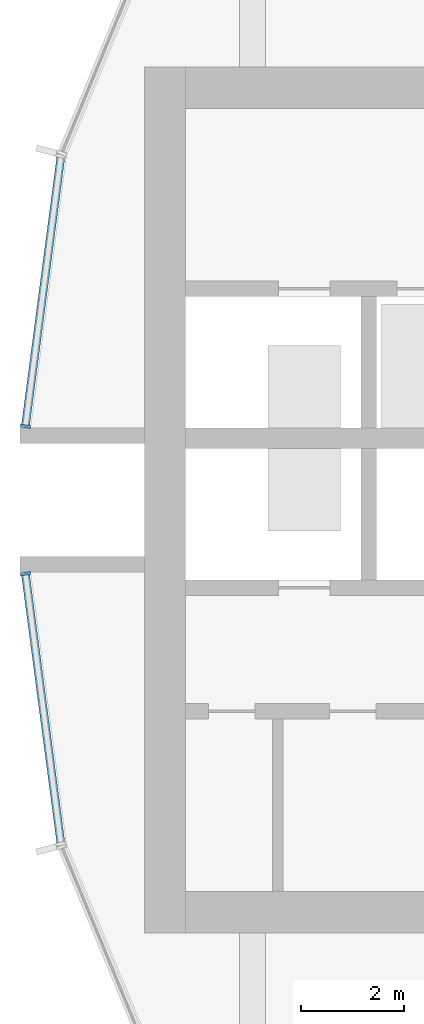
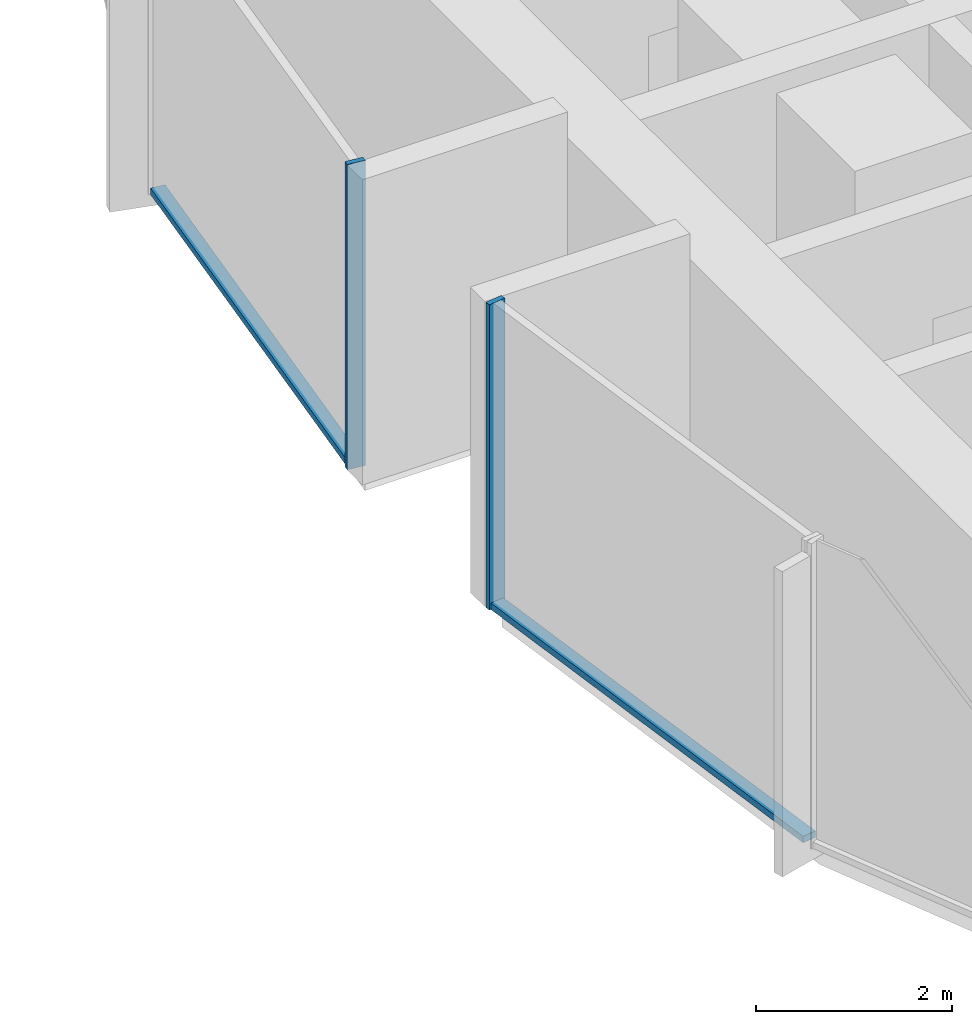
# One storey, part 3 of 15: 4 members, 2 elements without a shape of their own.
"""IFC4 building model written with IfcOpenShell, lengths in metres."""

from ifc_helpers import new_model, si_unit, direction, frame, origin, origin_2d, place, context, subcontext, project, spatial, rectangle, extrude, material, layer, layer_set, material_profile, profile_set, type_object, element, aggregate, save


model = new_model("IFC4")

# Units and contexts
model_context = context("Model", 3, precision=1e-05, world=origin(), true_north=direction((0.0, 1.0)))
body_context = subcontext(model_context, "Body", "Model", "MODEL_VIEW")
ifc_project = project(units=[si_unit("LENGTHUNIT", "METRE"), si_unit("AREAUNIT", "SQUARE_METRE"), si_unit("VOLUMEUNIT", "CUBIC_METRE"), si_unit("PLANEANGLEUNIT", "RADIAN"), si_unit("MASSUNIT", "GRAM", prefix="KILO")], contexts=[model_context])

# Site, building, storey
site_placement = place(None, origin())
site = spatial("IfcSite", under=ifc_project, at=site_placement, CompositionType="ELEMENT")
building_placement = place(site_placement, origin())
building = spatial("IfcBuilding", under=site, at=building_placement, Name="Torre Brocal", CompositionType="ELEMENT")
storey_placement = place(building_placement, frame((0.0, 0.0, 66.800048828125)))
storey = spatial("IfcBuildingStorey", under=building, at=storey_placement, Name="L15", CompositionType="ELEMENT", Elevation=66.800048828125)

# Curtain wall, member
ifc_material_1 = material(Name="Aluminium and glass", Category="aluminium")
ifc_layer = layer(ifc_material_1, 0.199951171875)
ifc_layer_set = layer_set([ifc_layer], Name="Aluminium and glass")
curtain_wall_type = type_object("IfcCurtainWallType", Name="CW-1B CURTAIN WALL 3800 HIGH", PredefinedType="NOTDEFINED", material=ifc_layer_set)
curtain_wall_1_placement = place(storey_placement, origin())
curtain_wall_1 = element("IfcCurtainWall", 1, at=curtain_wall_1_placement, inside=storey, type_object=curtain_wall_type, Name="CW-1B RUN 12", PredefinedType="NOTDEFINED")
ifc_material_2 = material(Name="Aluminium, dark anodised", Category="aluminium")
ifc_material_profile_1 = material_profile(ifc_material_2, rectangle(XDim=0.199951171875, YDim=0.06005859375, at=origin_2d()), Name="CW-1B MULLION 60X200")
ifc_profile_set_1 = profile_set([ifc_material_profile_1], Name="Aluminium, dark anodised")
member_type_1 = type_object("IfcMemberType", Name="CW-1B MULLION 60X200", PredefinedType="MULLION", material=ifc_profile_set_1)
member_1_placement = place(storey_placement, frame((54.2890625, 76.4296875, 0.0), z_axis=(0.0, 0.0, 1.0), x_axis=(0.991444861374, -0.13052619222, 0.0)))
member_1 = element("IfcMember", 2, at=member_1_placement, type_object=member_type_1, Name="CW1B-1 mullion 2", PredefinedType="MULLION", context=body_context, shape_type="SweptSolid", body=[
    extrude(rectangle(XDim=0.199951171875, YDim=0.06005859375, at=origin_2d()), origin(), (0.0, 0.0, 1.0), 3.800048828125),
])

curtain_wall_2_placement = place(storey_placement, origin())
curtain_wall_2 = element("IfcCurtainWall", 3, at=curtain_wall_2_placement, inside=storey, type_object=curtain_wall_type, Name="CW-1B RUN 13", PredefinedType="NOTDEFINED")
member_2_placement = place(storey_placement, frame((54.2890625, 73.5703125, 0.0), z_axis=(0.0, 0.0, 1.0), x_axis=(0.991444861374, 0.13052619222, 0.0)))
member_2 = element("IfcMember", 4, at=member_2_placement, type_object=member_type_1, Name="CW1B-1 mullion 1", PredefinedType="MULLION", context=body_context, shape_type="SweptSolid", body=[
    extrude(rectangle(XDim=0.199951171875, YDim=0.06005859375, at=origin_2d()), origin(), (0.0, 0.0, 1.0), 3.800048828125),
])

# Member
ifc_material_3 = material(Name="Aluminium, dark anodised", Category="aluminium")
ifc_material_profile_2 = material_profile(ifc_material_3, rectangle(XDim=0.159912109375, YDim=0.080078125, at=origin_2d()), Name="CW-1B TRANSOM 160X80")
ifc_profile_set_2 = profile_set([ifc_material_profile_2], Name="Aluminium, dark anodised")
member_type_2 = type_object("IfcMemberType", Name="CW-1B TRANSOM 160X80", PredefinedType="USERDEFINED", material=ifc_profile_set_2)
member_3_placement = place(storey_placement, frame((54.9755859375, 81.643798828125, 0.0400390625), z_axis=(-0.130542677827, -0.991442690863, 0.0), x_axis=(0.991442690863, -0.130542677827, 0.0)))
member_3 = element("IfcMember", 5, at=member_3_placement, type_object=member_type_2, Name="CW1B-1 transom 1.1", ObjectType="TRANSOM", PredefinedType="USERDEFINED", context=body_context, shape_type="SweptSolid", body=[
    extrude(rectangle(XDim=0.159912109375, YDim=0.080078125, at=origin_2d()), origin(), (0.0, 0.0, 1.0), 5.22900390625),
])

aggregate(curtain_wall_1, [member_1, member_3])

member_4_placement = place(storey_placement, frame((54.29296875, 73.54052734375, 0.0400390625), z_axis=(0.130542677827, -0.991442690863, 0.0), x_axis=(0.991442690863, 0.130542677827, 0.0)))
member_4 = element("IfcMember", 6, at=member_4_placement, type_object=member_type_2, Name="CW1B-1 transom 1.1", ObjectType="TRANSOM", PredefinedType="USERDEFINED", context=body_context, shape_type="SweptSolid", body=[
    extrude(rectangle(XDim=0.159912109375, YDim=0.080078125, at=origin_2d()), origin(), (0.0, 0.0, 1.0), 5.22900390625),
])

aggregate(curtain_wall_2, [member_2, member_4])

save(model, "model.ifc")
